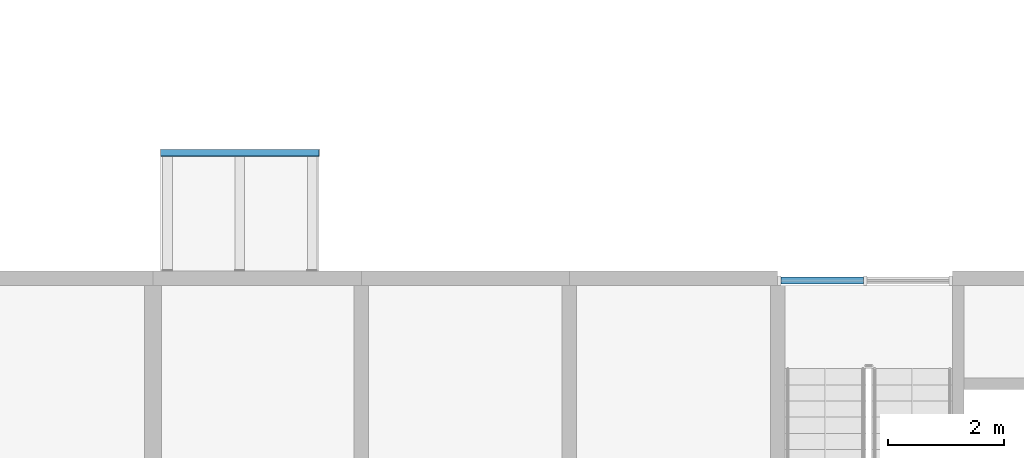
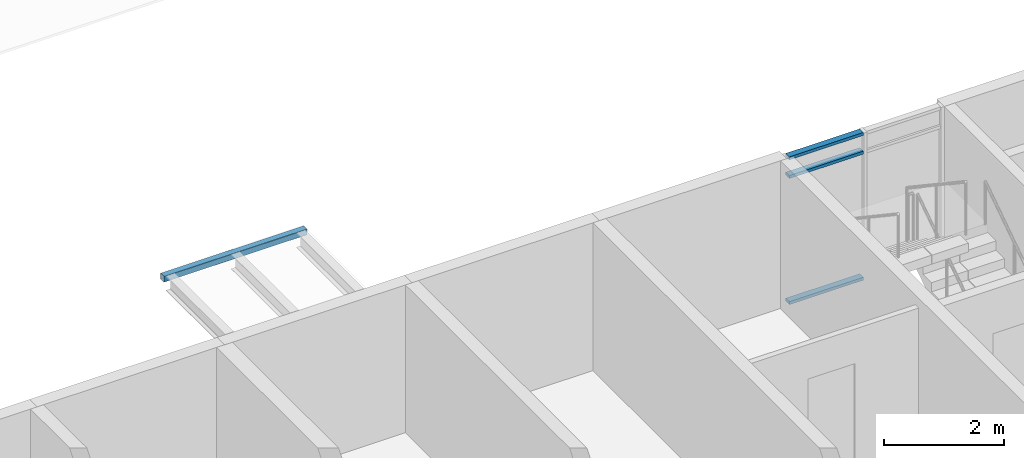
# One storey, part 23 of 122: 3 members, 1 beam, 1 element without a shape of its own.
"""IFC4 building model written with IfcOpenShell, lengths in metres."""

from ifc_helpers import new_model, si_unit, direction, frame, origin, origin_2d, place, context, subcontext, project, spatial, rectangle, hollow_rectangle, extrude, material, material_profile, profile_set, type_object, element, aggregate, save


model = new_model("IFC4")

# Units and contexts
model_context = context("Model", 3, precision=1e-05, world=origin(), true_north=direction((0.0, 1.0)))
body_context = subcontext(model_context, "Body", "Model", "MODEL_VIEW")
ifc_project = project(units=[si_unit("LENGTHUNIT", "METRE"), si_unit("AREAUNIT", "SQUARE_METRE"), si_unit("VOLUMEUNIT", "CUBIC_METRE"), si_unit("PLANEANGLEUNIT", "RADIAN"), si_unit("MASSUNIT", "GRAM", prefix="KILO")], contexts=[model_context])

# Site, building, storey
site_placement = place(None, origin())
site = spatial("IfcSite", under=ifc_project, at=site_placement, CompositionType="ELEMENT")
building_placement = place(site_placement, origin())
building = spatial("IfcBuilding", under=site, at=building_placement, Name="Ridgestep Commons", CompositionType="ELEMENT")
storey_placement = place(building_placement, frame((0.0, 0.0, 3.0)))
storey = spatial("IfcBuildingStorey", under=building, at=storey_placement, Name="L01", CompositionType="ELEMENT", Elevation=3.0)

# Curtain wall, members
ifc_material_1 = material(Name="Aluminium 6063-T6 and glass", Category="aluminium")
curtain_wall_type = type_object("IfcCurtainWallType", Name="Curtain wall stair strip", PredefinedType="NOTDEFINED", material=ifc_material_1)
curtain_wall_placement = place(storey_placement, origin())
curtain_wall = element("IfcCurtainWall", 1, at=curtain_wall_placement, inside=storey, type_object=curtain_wall_type, Name="Curtain wall D3C level 01", PredefinedType="NOTDEFINED")
ifc_material_2 = material(Name="Aluminium 6063-T6", Category="aluminium")
ifc_material_profile_1 = material_profile(ifc_material_2, rectangle(XDim=0.1201171875, YDim=0.06005859375, at=origin_2d()), Name="Transom 60 x 120")
ifc_profile_set_1 = profile_set([ifc_material_profile_1], Name="Aluminium 6063-T6")
member_type = type_object("IfcMemberType", Name="Transom 60 x 120", PredefinedType="USERDEFINED", material=ifc_profile_set_1)
member_1_placement = place(storey_placement, frame((191.260009765625, 22.830078125, 0.030029296875), z_axis=(1.0, 0.0, 0.0), x_axis=(0.0, 1.0, 0.0)))
member_1 = element("IfcMember", 2, at=member_1_placement, type_object=member_type, Name="CW1 transom 1.1", ObjectType="TRANSOM", PredefinedType="USERDEFINED", context=body_context, shape_type="SweptSolid", body=[
    extrude(rectangle(XDim=0.1201171875, YDim=0.06005859375, at=origin_2d()), origin(), (0.0, 0.0, 1.0), 1.422607421875),
])
member_2_placement = place(storey_placement, frame((191.260009765625, 22.830078125, 2.590087890625), z_axis=(1.0, 0.0, 0.0), x_axis=(0.0, 1.0, 0.0)))
member_2 = element("IfcMember", 3, at=member_2_placement, type_object=member_type, Name="CW1 transom 1.2", ObjectType="TRANSOM", PredefinedType="USERDEFINED", context=body_context, shape_type="SweptSolid", body=[
    extrude(rectangle(XDim=0.1201171875, YDim=0.06005859375, at=origin_2d()), origin(), (0.0, 0.0, 1.0), 1.422607421875),
])
member_3_placement = place(storey_placement, frame((191.260009765625, 22.830078125, 2.969970703125), z_axis=(1.0, 0.0, 0.0), x_axis=(0.0, 1.0, 0.0)))
member_3 = element("IfcMember", 4, at=member_3_placement, type_object=member_type, Name="CW1 transom 1.3", ObjectType="TRANSOM", PredefinedType="USERDEFINED", context=body_context, shape_type="SweptSolid", body=[
    extrude(rectangle(XDim=0.1201171875, YDim=0.06005859375, at=origin_2d()), origin(), (0.0, 0.0, 1.0), 1.422607421875),
])
aggregate(curtain_wall, [member_1, member_2, member_3])

# Beam
ifc_material_3 = material(Name="Weathering steel S355J2W", Category="steel")
ifc_material_profile_2 = material_profile(ifc_material_3, hollow_rectangle(XDim=0.1201171875, YDim=0.1201171875, WallThickness=0.00634765625, InnerFilletRadius=0.00634765625, OuterFilletRadius=0.009521484375, at=origin_2d()), Name="SHS 120x120x6.3")
ifc_profile_set_2 = profile_set([ifc_material_profile_2], Name="Weathering steel S355J2W")
beam_type = type_object("IfcBeamType", Name="Tray edge member SHS 120x120x6.3", PredefinedType="BEAM", material=ifc_profile_set_2)
beam_placement = place(storey_placement, frame((180.530029296875, 25.0400390625, 2.929931640625), z_axis=(1.0, 0.0, 0.0), x_axis=(0.0, 0.0, 1.0)))
element("IfcBeam", 5, at=beam_placement, inside=storey, type_object=beam_type, Name="Tray edge member D3T1-02", PredefinedType="BEAM", context=body_context, shape_type="SweptSolid", body=[
    extrude(hollow_rectangle(XDim=0.1201171875, YDim=0.1201171875, WallThickness=0.00634765625, InnerFilletRadius=0.00634765625, OuterFilletRadius=0.009521484375, at=origin_2d()), origin(), (0.0, 0.0, 1.0), 2.739990234375),
])

save(model, "model.ifc")
